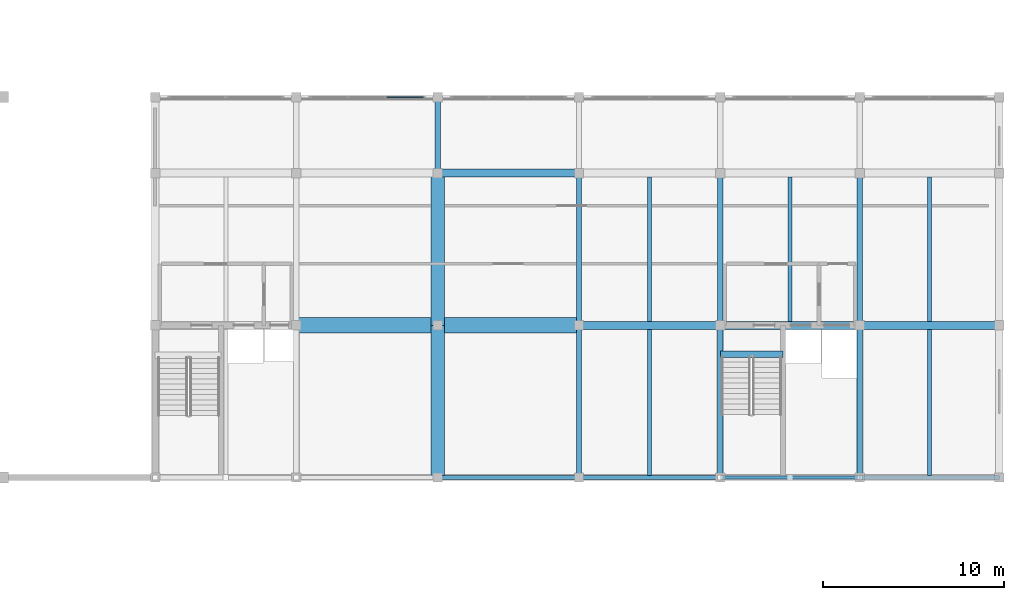
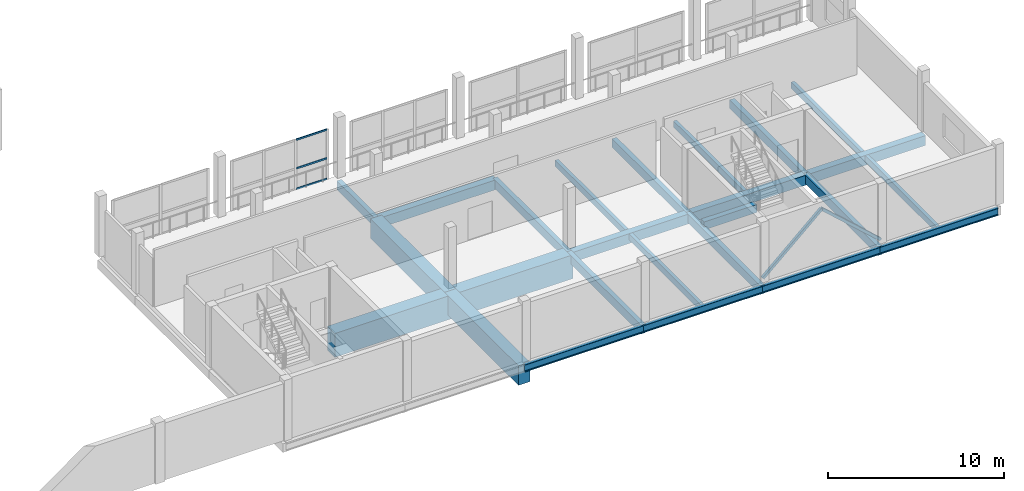
# One storey, part 29 of 53: 24 beams, 5 members, 1 element without a shape of its own.
"""IFC4 building model written with IfcOpenShell, lengths in metres."""

from ifc_helpers import new_model, si_unit, direction, frame, origin, origin_2d, place, context, subcontext, project, spatial, rectangle, hollow_rectangle, i_section, extrude, material, material_profile, profile_set, type_object, element, aggregate, save


model = new_model("IFC4")

# Units and contexts
model_context = context("Model", 3, precision=1e-05, world=origin(), true_north=direction((0.0, 1.0)))
body_context = subcontext(model_context, "Body", "Model", "MODEL_VIEW")
ifc_project = project(units=[si_unit("LENGTHUNIT", "METRE"), si_unit("AREAUNIT", "SQUARE_METRE"), si_unit("VOLUMEUNIT", "CUBIC_METRE"), si_unit("PLANEANGLEUNIT", "RADIAN"), si_unit("MASSUNIT", "GRAM", prefix="KILO")], contexts=[model_context])

# Site, building, storey
site_placement = place(None, origin())
site = spatial("IfcSite", under=ifc_project, at=site_placement, CompositionType="ELEMENT")
building_placement = place(site_placement, origin())
building = spatial("IfcBuilding", under=site, at=building_placement, Name="Vharandega Faculty of Natural Sciences", CompositionType="ELEMENT")
storey_placement = place(building_placement, frame((0.0, 0.0, 10.199951171875)))
storey = spatial("IfcBuildingStorey", under=building, at=storey_placement, Name="L02", CompositionType="ELEMENT", Elevation=10.199951171875)

# Curtain wall, members
ifc_material_1 = material(Name="Aluminium and solar-control glass curtain wall", Category="aluminium")
curtain_wall_type = type_object("IfcCurtainWallType", Name="Unitised Curtain Wall System CW-10", PredefinedType="NOTDEFINED", material=ifc_material_1)
curtain_wall_placement = place(storey_placement, origin())
curtain_wall = element("IfcCurtainWall", 1, at=curtain_wall_placement, inside=storey, type_object=curtain_wall_type, Name="Curtain Wall CW-L02-009", PredefinedType="NOTDEFINED")
ifc_material_2 = material(Name="Thermally broken aluminium 6063-T6", Category="aluminium")
ifc_material_profile_1 = material_profile(ifc_material_2, rectangle(XDim=0.06005859375, YDim=0.1201171875, at=origin_2d()), Name="ALU 60x120")
ifc_profile_set_1 = profile_set([ifc_material_profile_1], Name="Thermally broken aluminium 6063-T6")
member_type_1 = type_object("IfcMemberType", Name="CW Transom 60x120", PredefinedType="USERDEFINED", material=ifc_profile_set_1)
member_1_placement = place(storey_placement, frame((127.583251953125, 85.0, 0.030029296875), z_axis=(1.0, 0.0, 0.0), x_axis=(0.0, 1.0, 0.0)))
member_1 = element("IfcMember", 2, at=member_1_placement, type_object=member_type_1, Name="CW-10 transom 3.1", ObjectType="TRANSOM", PredefinedType="USERDEFINED", context=body_context, shape_type="SweptSolid", body=[
    extrude(rectangle(XDim=0.06005859375, YDim=0.1201171875, at=origin_2d()), origin(), (0.0, 0.0, 1.0), 2.016845703125),
])
member_2_placement = place(storey_placement, frame((127.583251953125, 85.0, 1.453369140625), z_axis=(1.0, 0.0, 0.0), x_axis=(0.0, 1.0, 0.0)))
member_2 = element("IfcMember", 3, at=member_2_placement, type_object=member_type_1, Name="CW-10 transom 3.2", ObjectType="TRANSOM", PredefinedType="USERDEFINED", context=body_context, shape_type="SweptSolid", body=[
    extrude(rectangle(XDim=0.06005859375, YDim=0.1201171875, at=origin_2d()), origin(), (0.0, 0.0, 1.0), 2.016845703125),
])
member_3_placement = place(storey_placement, frame((127.583251953125, 85.0, 3.429931640625), z_axis=(1.0, 0.0, 0.0), x_axis=(0.0, 1.0, 0.0)))
member_3 = element("IfcMember", 4, at=member_3_placement, type_object=member_type_1, Name="CW-10 transom 3.3", ObjectType="TRANSOM", PredefinedType="USERDEFINED", context=body_context, shape_type="SweptSolid", body=[
    extrude(rectangle(XDim=0.06005859375, YDim=0.1201171875, at=origin_2d()), origin(), (0.0, 0.0, 1.0), 2.016845703125),
])
aggregate(curtain_wall, [member_1, member_2, member_3])

# Beams
ifc_material_3 = material(Name="Glulam GL28h", Category="wood")
ifc_material_profile_2 = material_profile(ifc_material_3, rectangle(XDim=0.300048828125, YDim=0.60009765625, at=origin_2d()), Name="GL28h 300x600")
ifc_profile_set_2 = profile_set([ifc_material_profile_2], Name="Glulam GL28h")
beam_type_1 = type_object("IfcBeamType", Name="Glulam Floor Beam 300x600", PredefinedType="BEAM", material=ifc_profile_set_2)
beam_1_placement = place(storey_placement, frame((130.39990234375, 80.800048828125, -0.64990234375), z_axis=(0.0, 1.0, 0.0), x_axis=(-1.0, 0.0, 0.0)))
element("IfcBeam", 5, at=beam_1_placement, inside=storey, type_object=beam_type_1, Name="Beam L02 17/L-M", PredefinedType="BEAM", context=body_context, shape_type="SweptSolid", body=[
    extrude(rectangle(XDim=0.300048828125, YDim=0.60009765625, at=origin_2d()), origin(), (0.0, 0.0, 1.0), 4.199951171875),
])
beam_2_placement = place(storey_placement, frame((138.199951171875, 64.0, -0.64990234375), z_axis=(0.0, 1.0, 0.0), x_axis=(-1.0, 0.0, 0.0)))
element("IfcBeam", 6, at=beam_2_placement, inside=storey, type_object=beam_type_1, Name="Beam L02 18/J-K", PredefinedType="BEAM", context=body_context, shape_type="SweptSolid", body=[
    extrude(rectangle(XDim=0.300048828125, YDim=0.60009765625, at=origin_2d()), origin(), (0.0, 0.0, 1.0), 8.39990234375),
])
beam_3_placement = place(storey_placement, frame((138.199951171875, 72.39990234375, -0.64990234375), z_axis=(0.0, 1.0, 0.0), x_axis=(-1.0, 0.0, 0.0)))
element("IfcBeam", 7, at=beam_3_placement, inside=storey, type_object=beam_type_1, Name="Beam L02 18/K-L", PredefinedType="BEAM", context=body_context, shape_type="SweptSolid", body=[
    extrude(rectangle(XDim=0.300048828125, YDim=0.60009765625, at=origin_2d()), origin(), (0.0, 0.0, 1.0), 8.400146484375),
])
beam_4_placement = place(storey_placement, frame((146.0, 64.0, -0.64990234375), z_axis=(0.0, 1.0, 0.0), x_axis=(-1.0, 0.0, 0.0)))
element("IfcBeam", 8, at=beam_4_placement, inside=storey, type_object=beam_type_1, Name="Beam L02 19/J-K", PredefinedType="BEAM", context=body_context, shape_type="SweptSolid", body=[
    extrude(rectangle(XDim=0.300048828125, YDim=0.60009765625, at=origin_2d()), origin(), (0.0, 0.0, 1.0), 8.39990234375),
])
beam_5_placement = place(storey_placement, frame((146.0, 72.39990234375, -0.64990234375), z_axis=(0.0, 1.0, 0.0), x_axis=(-1.0, 0.0, 0.0)))
element("IfcBeam", 9, at=beam_5_placement, inside=storey, type_object=beam_type_1, Name="Beam L02 19/K-L", PredefinedType="BEAM", context=body_context, shape_type="SweptSolid", body=[
    extrude(rectangle(XDim=0.300048828125, YDim=0.60009765625, at=origin_2d()), origin(), (0.0, 0.0, 1.0), 8.400146484375),
])
beam_6_placement = place(storey_placement, frame((153.699951171875, 64.0, -0.64990234375), z_axis=(0.0, 1.0, 0.0), x_axis=(-1.0, 0.0, 0.0)))
element("IfcBeam", 10, at=beam_6_placement, inside=storey, type_object=beam_type_1, Name="Beam L02 20/J-K", PredefinedType="BEAM", context=body_context, shape_type="SweptSolid", body=[
    extrude(rectangle(XDim=0.300048828125, YDim=0.60009765625, at=origin_2d()), origin(), (0.0, 0.0, 1.0), 8.39990234375),
])
beam_7_placement = place(storey_placement, frame((153.699951171875, 72.39990234375, -0.64990234375), z_axis=(0.0, 1.0, 0.0), x_axis=(-1.0, 0.0, 0.0)))
element("IfcBeam", 11, at=beam_7_placement, inside=storey, type_object=beam_type_1, Name="Beam L02 20/K-L", PredefinedType="BEAM", context=body_context, shape_type="SweptSolid", body=[
    extrude(rectangle(XDim=0.300048828125, YDim=0.60009765625, at=origin_2d()), origin(), (0.0, 0.0, 1.0), 8.400146484375),
])
ifc_material_4 = material(Name="Glulam GL32h", Category="wood")
ifc_material_profile_3 = material_profile(ifc_material_4, rectangle(XDim=0.43994140625, YDim=0.679931640625, at=origin_2d()), Name="GL32h 440x680")
ifc_profile_set_3 = profile_set([ifc_material_profile_3], Name="Glulam GL32h")
beam_type_2 = type_object("IfcBeamType", Name="Glulam Girder 440x680", PredefinedType="BEAM", material=ifc_profile_set_3)
beam_8_placement = place(storey_placement, frame((138.199951171875, 72.39990234375, -0.68994140625), z_axis=(1.0, 0.0, 0.0), x_axis=(0.0, 1.0, 0.0)))
element("IfcBeam", 12, at=beam_8_placement, inside=storey, type_object=beam_type_2, Name="Beam L02 K/18-19", PredefinedType="BEAM", context=body_context, shape_type="SweptSolid", body=[
    extrude(rectangle(XDim=0.43994140625, YDim=0.679931640625, at=origin_2d()), origin(), (0.0, 0.0, 1.0), 7.800048828125),
])
for number, where, z_axis, x_axis, name in (
    (13, (146.0, 72.39990234375, -0.68994140625), (1.0, 0.0, 0.0), (0.0, 1.0, 0.0), "Beam L02 K/19-20"),
    (14, (153.699951171875, 72.39990234375, -0.68994140625), (1.0, 0.0, 0.0), (0.0, 1.0, 0.0), "Beam L02 K/20-21"),
):
    element("IfcBeam", number, at=place(storey_placement, frame(where, z_axis=z_axis, x_axis=x_axis)), inside=storey, type_object=beam_type_2, Name=name, PredefinedType="BEAM", context=body_context, shape_type="SweptSolid", body=[
        extrude(rectangle(XDim=0.43994140625, YDim=0.679931640625, at=origin_2d()), origin(), (0.0, 0.0, 1.0), 7.699951171875),
    ])
beam_9_placement = place(storey_placement, frame((130.39990234375, 80.800048828125, -0.68994140625), z_axis=(1.0, 0.0, 0.0), x_axis=(0.0, 1.0, 0.0)))
element("IfcBeam", 15, at=beam_9_placement, inside=storey, type_object=beam_type_2, Name="Beam L02 L/17-18", PredefinedType="BEAM", context=body_context, shape_type="SweptSolid", body=[
    extrude(rectangle(XDim=0.43994140625, YDim=0.679931640625, at=origin_2d()), origin(), (0.0, 0.0, 1.0), 7.800048828125),
])
ifc_material_5 = material(Name="Glulam GL28h", Category="wood")
ifc_material_profile_4 = material_profile(ifc_material_5, rectangle(XDim=0.219970703125, YDim=0.43994140625, at=origin_2d()), Name="GL28h 220x440")
ifc_profile_set_4 = profile_set([ifc_material_profile_4], Name="Glulam GL28h")
beam_type_3 = type_object("IfcBeamType", Name="Glulam Secondary Joist 220x440", PredefinedType="JOIST", material=ifc_profile_set_4)
beam_10_placement = place(storey_placement, frame((142.10009765625, 64.10009765625, -0.570068359375), z_axis=(0.0, 1.0, 0.0), x_axis=(-1.0, 0.0, 0.0)))
element("IfcBeam", 16, at=beam_10_placement, inside=storey, type_object=beam_type_3, Name="Secondary Joist L02 18-19/J-K", PredefinedType="JOIST", context=body_context, shape_type="SweptSolid", body=[
    extrude(rectangle(XDim=0.219970703125, YDim=0.43994140625, at=origin_2d()), origin(), (0.0, 0.0, 1.0), 8.079833984375),
])
for number, where, z_axis, x_axis, name in (
    (17, (142.10009765625, 72.6201171875, -0.570068359375), (0.0, 1.0, 0.0), (-1.0, 0.0, 0.0), "Secondary Joist L02 18-19/K-L"),
    (18, (149.85009765625, 72.6201171875, -0.570068359375), (0.0, 1.0, 0.0), (-1.0, 0.0, 0.0), "Secondary Joist L02 19-20/K-L"),
):
    element("IfcBeam", number, at=place(storey_placement, frame(where, z_axis=z_axis, x_axis=x_axis)), inside=storey, type_object=beam_type_3, Name=name, PredefinedType="JOIST", context=body_context, shape_type="SweptSolid", body=[
        extrude(rectangle(XDim=0.219970703125, YDim=0.43994140625, at=origin_2d()), origin(), (0.0, 0.0, 1.0), 7.9599609375),
    ])
beam_11_placement = place(storey_placement, frame((157.550048828125, 64.10009765625, -0.570068359375), z_axis=(0.0, 1.0, 0.0), x_axis=(-1.0, 0.0, 0.0)))
element("IfcBeam", 19, at=beam_11_placement, inside=storey, type_object=beam_type_3, Name="Secondary Joist L02 20-21/J-K", PredefinedType="JOIST", context=body_context, shape_type="SweptSolid", body=[
    extrude(rectangle(XDim=0.219970703125, YDim=0.43994140625, at=origin_2d()), origin(), (0.0, 0.0, 1.0), 8.079833984375),
])
beam_12_placement = place(storey_placement, frame((157.550048828125, 72.6201171875, -0.570068359375), z_axis=(0.0, 1.0, 0.0), x_axis=(-1.0, 0.0, 0.0)))
element("IfcBeam", 20, at=beam_12_placement, inside=storey, type_object=beam_type_3, Name="Secondary Joist L02 20-21/K-L", PredefinedType="JOIST", context=body_context, shape_type="SweptSolid", body=[
    extrude(rectangle(XDim=0.219970703125, YDim=0.43994140625, at=origin_2d()), origin(), (0.0, 0.0, 1.0), 7.9599609375),
])
ifc_material_6 = material(Name="Concrete C40/50", Category="concrete")
ifc_material_profile_5 = material_profile(ifc_material_6, rectangle(XDim=0.35009765625, YDim=0.550048828125, at=origin_2d()), Name="RC 350x550")
ifc_profile_set_5 = profile_set([ifc_material_profile_5], Name="Concrete C40/50")
beam_type_4 = type_object("IfcBeamType", Name="Stair Header Trimmer Beam 350x550", PredefinedType="BEAM", material=ifc_profile_set_5)
beam_13_placement = place(storey_placement, frame((146.0, 70.800048828125, -0.27490234375), z_axis=(1.0, 0.0, 0.0), x_axis=(0.0, 1.0, 0.0)))
element("IfcBeam", 21, at=beam_13_placement, inside=storey, type_object=beam_type_4, Name="Stair Landing Trimmer Beam C2 L02", PredefinedType="BEAM", context=body_context, shape_type="SweptSolid", body=[
    extrude(rectangle(XDim=0.35009765625, YDim=0.550048828125, at=origin_2d()), origin(), (0.0, 0.0, 1.0), 3.4599609375),
])
ifc_material_7 = material(Name="Steel S355", Category="steel")
ifc_material_profile_6 = material_profile(ifc_material_7, i_section(OverallWidth=0.199951171875, OverallDepth=0.5, WebThickness=0.01025390625, FlangeThickness=0.01611328125, FilletRadius=0.02099609375, at=origin_2d()), Name="IPE 500")
ifc_profile_set_6 = profile_set([ifc_material_profile_6], Name="Steel S355")
beam_type_5 = type_object("IfcBeamType", Name="Steel Spandrel Beam IPE 500", PredefinedType="SPANDREL", material=ifc_profile_set_6)
for number, where, z_axis, x_axis, name in (
    (22, (130.39990234375, 64.0, -0.599853515625), (1.0, 0.0, 0.0), (0.0, 1.0, 0.0), "Beam L02 J/17-18"),
    (23, (138.199951171875, 64.0, -0.599853515625), (1.0, 0.0, 0.0), (0.0, 1.0, 0.0), "Beam L02 J/18-19"),
):
    element("IfcBeam", number, at=place(storey_placement, frame(where, z_axis=z_axis, x_axis=x_axis)), inside=storey, type_object=beam_type_5, Name=name, PredefinedType="SPANDREL", context=body_context, shape_type="SweptSolid", body=[
        extrude(i_section(OverallWidth=0.199951171875, OverallDepth=0.5, WebThickness=0.01025390625, FlangeThickness=0.01611328125, FilletRadius=0.02099609375, at=origin_2d()), origin(), (0.0, 0.0, 1.0), 7.800048828125),
    ])
for number, where, z_axis, x_axis, name in (
    (24, (146.0, 64.0, -0.599853515625), (1.0, 0.0, 0.0), (0.0, 1.0, 0.0), "Beam L02 J/19-20"),
    (25, (153.699951171875, 64.0, -0.599853515625), (1.0, 0.0, 0.0), (0.0, 1.0, 0.0), "Beam L02 J/20-21"),
):
    element("IfcBeam", number, at=place(storey_placement, frame(where, z_axis=z_axis, x_axis=x_axis)), inside=storey, type_object=beam_type_5, Name=name, PredefinedType="SPANDREL", context=body_context, shape_type="SweptSolid", body=[
        extrude(i_section(OverallWidth=0.199951171875, OverallDepth=0.5, WebThickness=0.01025390625, FlangeThickness=0.01611328125, FilletRadius=0.02099609375, at=origin_2d()), origin(), (0.0, 0.0, 1.0), 7.699951171875),
    ])

# Members
ifc_material_8 = material(Name="Steel S355", Category="steel")
ifc_material_profile_7 = material_profile(ifc_material_8, hollow_rectangle(XDim=0.179931640625, YDim=0.179931640625, WallThickness=0.010009765625, at=origin_2d()), Name="SHS 180x180x10")
ifc_profile_set_7 = profile_set([ifc_material_profile_7], Name="Steel S355")
member_type_2 = type_object("IfcMemberType", Name="Timber Frame Diagonal Brace SHS 180", PredefinedType="BRACE", material=ifc_profile_set_7)
for number, where, z_axis, x_axis, name in (
    (26, (146.0, 64.0, 0.150146484375), (0.74378643751, 0.0, 0.668417336233), (0.0, 1.0, 0.0), "Chevron Brace J2 L02-1"),
    (27, (153.699951171875, 64.0, 0.150146484375), (-0.743765364099, 0.0, 0.668440785086), (0.0, -1.0, 0.0), "Chevron Brace J2 L02-2"),
):
    element("IfcMember", number, at=place(storey_placement, frame(where, z_axis=z_axis, x_axis=x_axis)), inside=storey, type_object=member_type_2, Name=name, PredefinedType="BRACE", context=body_context, shape_type="SweptSolid", body=[
        extrude(hollow_rectangle(XDim=0.179931640625, YDim=0.179931640625, WallThickness=0.010009765625, at=origin_2d()), origin(), (0.0, 0.0, 1.0), 5.17626953125),
    ])

# Beams
ifc_material_9 = material(Name="Concrete C40/50", Category="concrete")
ifc_material_profile_8 = material_profile(ifc_material_9, rectangle(XDim=0.75, YDim=1.35009765625, at=origin_2d()), Name="RC 750x1350")
ifc_profile_set_8 = profile_set([ifc_material_profile_8], Name="Concrete C40/50")
beam_type_6 = type_object("IfcBeamType", Name="Transfer Girder TG1 750x1350", PredefinedType="BEAM", material=ifc_profile_set_8)
beam_14_placement = place(storey_placement, frame((130.39990234375, 64.0, -1.02490234375), z_axis=(0.0, 1.0, 0.0), x_axis=(-1.0, 0.0, 0.0)))
element("IfcBeam", 28, at=beam_14_placement, inside=storey, type_object=beam_type_6, Name="Transfer Girder TG1-1", PredefinedType="BEAM", context=body_context, shape_type="SweptSolid", body=[
    extrude(rectangle(XDim=0.75, YDim=1.35009765625, at=origin_2d()), origin(), (0.0, 0.0, 1.0), 8.39990234375),
])
beam_15_placement = place(storey_placement, frame((130.39990234375, 72.39990234375, -1.02490234375), z_axis=(0.0, 1.0, 0.0), x_axis=(-1.0, 0.0, 0.0)))
element("IfcBeam", 29, at=beam_15_placement, inside=storey, type_object=beam_type_6, Name="Transfer Girder TG1-2", PredefinedType="BEAM", context=body_context, shape_type="SweptSolid", body=[
    extrude(rectangle(XDim=0.75, YDim=1.35009765625, at=origin_2d()), origin(), (0.0, 0.0, 1.0), 8.400146484375),
])
ifc_material_10 = material(Name="Concrete C40/50", Category="concrete")
ifc_material_profile_9 = material_profile(ifc_material_10, rectangle(XDim=0.85009765625, YDim=1.64990234375, at=origin_2d()), Name="RC 850x1650")
ifc_profile_set_9 = profile_set([ifc_material_profile_9], Name="Concrete C40/50")
beam_type_7 = type_object("IfcBeamType", Name="Transfer Girder TG2 850x1650", PredefinedType="BEAM", material=ifc_profile_set_9)
beam_16_placement = place(storey_placement, frame((122.60009765625, 72.39990234375, -1.175048828125), z_axis=(1.0, 0.0, 0.0), x_axis=(0.0, 1.0, 0.0)))
element("IfcBeam", 30, at=beam_16_placement, inside=storey, type_object=beam_type_7, Name="Transfer Girder TG2 (L02 Colloquium Clear Span)", PredefinedType="BEAM", context=body_context, shape_type="SweptSolid", body=[
    extrude(rectangle(XDim=0.85009765625, YDim=1.64990234375, at=origin_2d()), origin(), (0.0, 0.0, 1.0), 15.599853515625),
])

save(model, "model.ifc")
